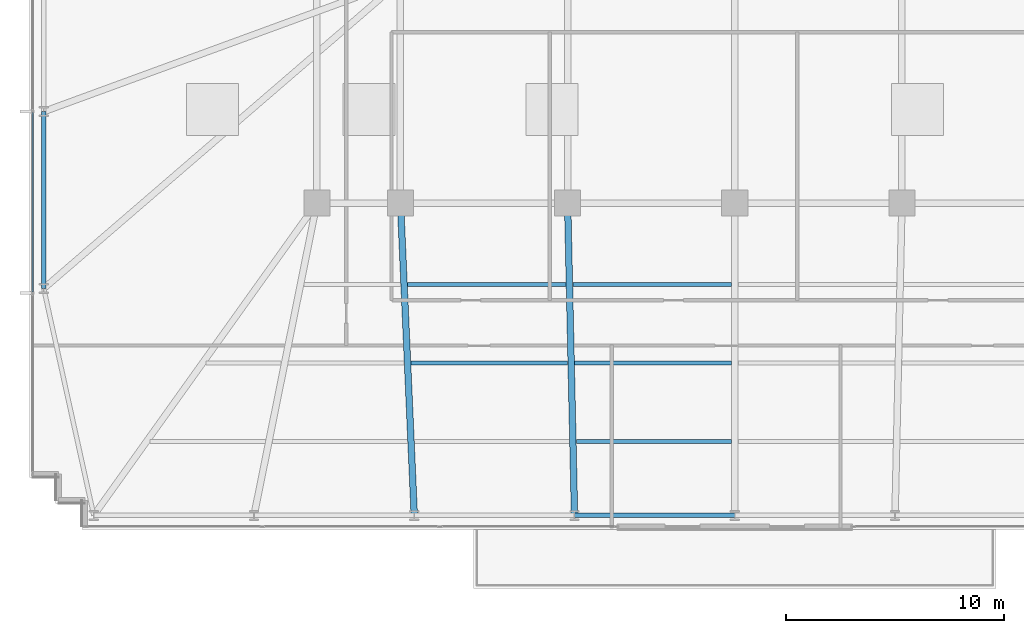
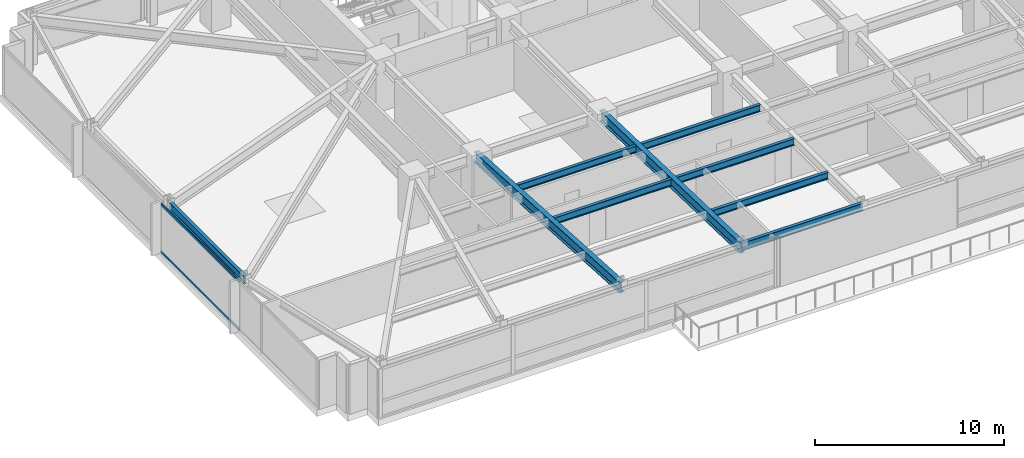
# One storey, part 6 of 31: 9 beams, 2 members, 1 element without a shape of its own.
"""IFC4 building model written with IfcOpenShell, lengths in metres."""

from ifc_helpers import new_model, si_unit, direction, frame, origin, origin_2d, place, context, subcontext, project, spatial, hollow_rectangle, i_section, extrude, material, material_profile, profile_set, type_object, element, aggregate, save


model = new_model("IFC4")

# Units and contexts
model_context = context("Model", 3, precision=1e-05, world=origin(), true_north=direction((0.0, 1.0)))
body_context = subcontext(model_context, "Body", "Model", "MODEL_VIEW")
ifc_project = project(units=[si_unit("LENGTHUNIT", "METRE"), si_unit("AREAUNIT", "SQUARE_METRE"), si_unit("VOLUMEUNIT", "CUBIC_METRE"), si_unit("PLANEANGLEUNIT", "RADIAN"), si_unit("MASSUNIT", "GRAM", prefix="KILO")], contexts=[model_context])

# Site, building, storey
site_placement = place(None, origin())
site = spatial("IfcSite", under=ifc_project, at=site_placement, CompositionType="ELEMENT")
building_placement = place(site_placement, origin())
building = spatial("IfcBuilding", under=site, at=building_placement, Name="Yelkora Congress Tower", CompositionType="ELEMENT")
storey_placement = place(building_placement, frame((0.0, 0.0, 30.39990234375)))
storey = spatial("IfcBuildingStorey", under=building, at=storey_placement, Name="L06", CompositionType="ELEMENT", Elevation=30.39990234375)

# Beams
ifc_material_1 = material(Name="Steel S355J2", Category="steel")
ifc_material_profile_1 = material_profile(ifc_material_1, i_section(OverallWidth=0.300048828125, OverallDepth=0.699951171875, WebThickness=0.01708984375, FlangeThickness=0.031982421875, FilletRadius=0.027099609375, at=origin_2d()), Name="HEB 700")
ifc_profile_set_1 = profile_set([ifc_material_profile_1], Name="Steel S355J2")
beam_type_1 = type_object("IfcBeamType", Name="BM-GIRD-HEB700", PredefinedType="BEAM", material=ifc_profile_set_1)
beam_1_placement = place(storey_placement, frame((23.675048828125, 10.85009765625, 2.830078125), z_axis=(-0.044208738849, 0.999022315771, 0.0), x_axis=(-0.999022315771, -0.044208738849, 0.0)))
element("IfcBeam", 1, at=beam_1_placement, inside=storey, type_object=beam_type_1, Name="L06 Primary Frame Girder S03", PredefinedType="BEAM", context=body_context, shape_type="SweptSolid", body=[
    extrude(i_section(OverallWidth=0.300048828125, OverallDepth=0.699951171875, WebThickness=0.01708984375, FlangeThickness=0.031982421875, FilletRadius=0.027099609375, at=origin_2d()), origin(), (0.0, 0.0, 1.0), 14.364013671875),
])
beam_2_placement = place(storey_placement, frame((31.03759765625, 10.85009765625, 2.830078125), z_axis=(-0.022129088136, 0.999755121746, 0.0), x_axis=(-0.999755121746, -0.022129088136, 0.0)))
element("IfcBeam", 2, at=beam_2_placement, inside=storey, type_object=beam_type_1, Name="L06 Primary Frame Girder S04", PredefinedType="BEAM", context=body_context, shape_type="SweptSolid", body=[
    extrude(i_section(OverallWidth=0.300048828125, OverallDepth=0.699951171875, WebThickness=0.01708984375, FlangeThickness=0.031982421875, FilletRadius=0.027099609375, at=origin_2d()), origin(), (0.0, 0.0, 1.0), 14.353271484375),
])
ifc_material_profile_2 = material_profile(ifc_material_1, i_section(OverallWidth=0.18994140625, OverallDepth=0.449951171875, WebThickness=0.009521484375, FlangeThickness=0.0146484375, FilletRadius=0.02099609375, at=origin_2d()), Name="IPE 450")
ifc_profile_set_2 = profile_set([ifc_material_profile_2], Name="Steel S355J2")
beam_type_2 = type_object("IfcBeamType", Name="BM-JOIST-IPE450", PredefinedType="JOIST", material=ifc_profile_set_2)
beam_3_placement = place(storey_placement, frame((31.122314453125, 14.25, 2.955078125), z_axis=(1.0, 0.0, 0.0), x_axis=(0.0, 1.0, 0.0)))
element("IfcBeam", 3, at=beam_3_placement, inside=storey, type_object=beam_type_2, Name="L06 Composite Floor Joist 4", PredefinedType="JOIST", context=body_context, shape_type="SweptSolid", body=[
    extrude(i_section(OverallWidth=0.18994140625, OverallDepth=0.449951171875, WebThickness=0.009521484375, FlangeThickness=0.0146484375, FilletRadius=0.02099609375, at=origin_2d()), origin(), (0.0, 0.0, 1.0), 7.11767578125),
])
for number, where, z_axis, x_axis, name in (
    (4, (23.525146484375, 17.85009765625, 2.955078125), (1.0, 0.0, 0.0), (0.0, 1.0, 0.0), "L06 Composite Floor Joist 11"),
    (5, (31.04248046875, 17.85009765625, 2.955078125), (1.0, 0.0, 0.0), (0.0, 1.0, 0.0), "L06 Composite Floor Joist 12"),
):
    element("IfcBeam", number, at=place(storey_placement, frame(where, z_axis=z_axis, x_axis=x_axis)), inside=storey, type_object=beam_type_2, Name=name, PredefinedType="JOIST", context=body_context, shape_type="SweptSolid", body=[
        extrude(i_section(OverallWidth=0.18994140625, OverallDepth=0.449951171875, WebThickness=0.009521484375, FlangeThickness=0.0146484375, FilletRadius=0.02099609375, at=origin_2d()), origin(), (0.0, 0.0, 1.0), 7.197509765625),
    ])
for number, where, z_axis, x_axis, name in (
    (6, (23.365966796875, 21.449951171875, 2.955078125), (1.0, 0.0, 0.0), (0.0, 1.0, 0.0), "L06 Composite Floor Joist 18"),
    (7, (30.962890625, 21.449951171875, 2.955078125), (1.0, 0.0, 0.0), (0.0, 1.0, 0.0), "L06 Composite Floor Joist 19"),
):
    element("IfcBeam", number, at=place(storey_placement, frame(where, z_axis=z_axis, x_axis=x_axis)), inside=storey, type_object=beam_type_2, Name=name, PredefinedType="JOIST", context=body_context, shape_type="SweptSolid", body=[
        extrude(i_section(OverallWidth=0.18994140625, OverallDepth=0.449951171875, WebThickness=0.009521484375, FlangeThickness=0.0146484375, FilletRadius=0.02099609375, at=origin_2d()), origin(), (0.0, 0.0, 1.0), 7.277099609375),
    ])
ifc_material_profile_3 = material_profile(ifc_material_1, i_section(OverallWidth=0.199951171875, OverallDepth=0.5, WebThickness=0.01025390625, FlangeThickness=0.01611328125, FilletRadius=0.02099609375, at=origin_2d()), Name="IPE 500")
ifc_profile_set_3 = profile_set([ifc_material_profile_3], Name="Steel S355J2")
beam_type_3 = type_object("IfcBeamType", Name="BM-SPAN-IPE500", PredefinedType="SPANDREL", material=ifc_profile_set_3)
beam_4_placement = place(storey_placement, frame((31.03759765625, 10.85009765625, 2.93017578125), z_axis=(1.0, 0.0, 0.0), x_axis=(0.0, 1.0, 0.0)))
element("IfcBeam", 8, at=beam_4_placement, inside=storey, type_object=beam_type_3, Name="L06 Perimeter Beam 5", PredefinedType="SPANDREL", context=body_context, shape_type="SweptSolid", body=[
    extrude(i_section(OverallWidth=0.199951171875, OverallDepth=0.5, WebThickness=0.01025390625, FlangeThickness=0.01611328125, FilletRadius=0.02099609375, at=origin_2d()), origin(), (0.0, 0.0, 1.0), 7.3623046875),
])
beam_5_placement = place(storey_placement, frame((6.64990234375, 29.39990234375, 2.93017578125), z_axis=(0.0, -1.0, 0.0), x_axis=(1.0, 0.0, 0.0)))
element("IfcBeam", 9, at=beam_5_placement, inside=storey, type_object=beam_type_3, Name="L06 Perimeter Beam 19", PredefinedType="SPANDREL", context=body_context, shape_type="SweptSolid", body=[
    extrude(i_section(OverallWidth=0.199951171875, OverallDepth=0.5, WebThickness=0.01025390625, FlangeThickness=0.01611328125, FilletRadius=0.02099609375, at=origin_2d()), origin(), (0.0, 0.0, 1.0), 8.125),
])

# Curtain wall, members
ifc_material_2 = material(Name="Anodised aluminium and insulated glass", Category="aluminium")
curtain_wall_type = type_object("IfcCurtainWallType", Name="CW-SYS-B1", PredefinedType="NOTDEFINED", material=ifc_material_2)
curtain_wall_placement = place(storey_placement, origin())
curtain_wall = element("IfcCurtainWall", 10, at=curtain_wall_placement, inside=storey, type_object=curtain_wall_type, Name="L06 Unitised Curtain Wall 5", PredefinedType="NOTDEFINED")
ifc_material_3 = material(Name="Anodised aluminium 6063-T6", Category="aluminium")
ifc_material_profile_4 = material_profile(ifc_material_3, hollow_rectangle(XDim=0.06494140625, YDim=0.159912109375, WallThickness=0.00390625, at=origin_2d()), Name="ALU 65x160x4")
ifc_profile_set_4 = profile_set([ifc_material_profile_4], Name="Anodised aluminium 6063-T6")
member_type = type_object("IfcMemberType", Name="MEM-TR-B1", PredefinedType="USERDEFINED", material=ifc_profile_set_4)
member_1_placement = place(storey_placement, frame((6.139892578125, 21.107421875, 0.03271484375), z_axis=(0.0, 1.0, 0.0), x_axis=(-1.0, 0.0, 0.0)))
member_1 = element("IfcMember", 11, at=member_1_placement, type_object=member_type, Name="CW-B1 transom 2.1", ObjectType="TRANSOM", PredefinedType="USERDEFINED", context=body_context, shape_type="SweptSolid", body=[
    extrude(hollow_rectangle(XDim=0.06494140625, YDim=0.159912109375, WallThickness=0.00390625, at=origin_2d()), origin(), (0.0, 0.0, 1.0), 8.255126953125),
])
member_2_placement = place(storey_placement, frame((6.139892578125, 21.107421875, 3.147705078125), z_axis=(0.0, 1.0, 0.0), x_axis=(-1.0, 0.0, 0.0)))
member_2 = element("IfcMember", 12, at=member_2_placement, type_object=member_type, Name="CW-B1 transom 2.2", ObjectType="TRANSOM", PredefinedType="USERDEFINED", context=body_context, shape_type="SweptSolid", body=[
    extrude(hollow_rectangle(XDim=0.06494140625, YDim=0.159912109375, WallThickness=0.00390625, at=origin_2d()), origin(), (0.0, 0.0, 1.0), 8.255126953125),
])
aggregate(curtain_wall, [member_1, member_2])

save(model, "model.ifc")
